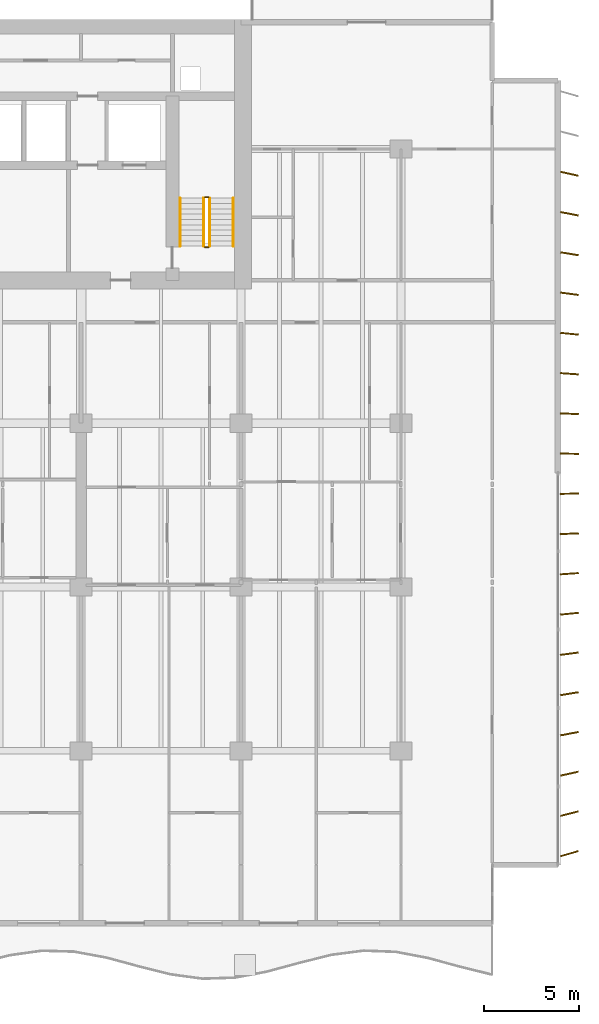
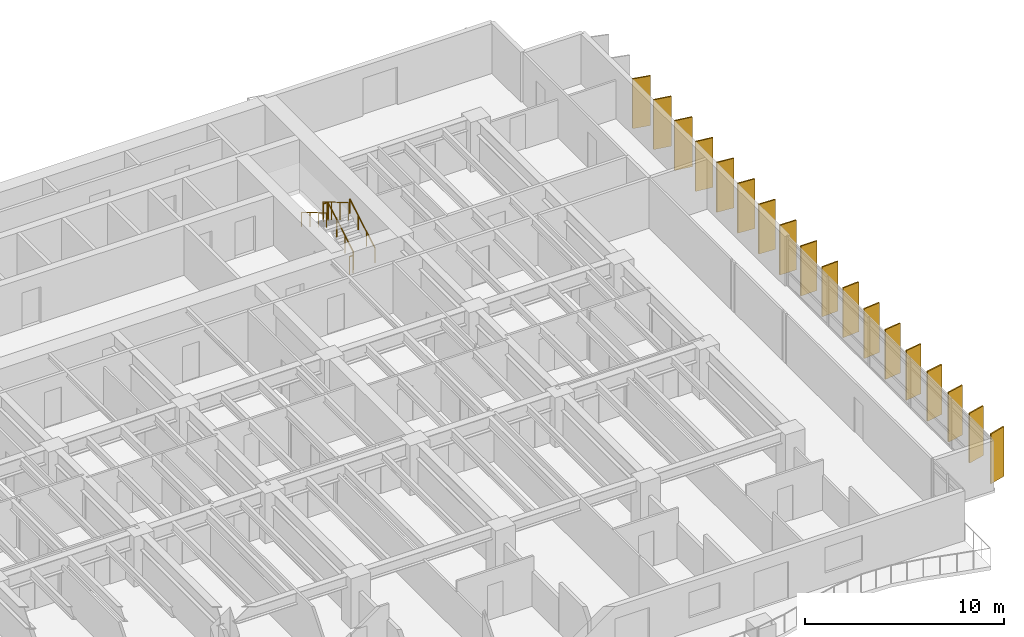
# One storey, part 18 of 19: 18 shading devices, 6 railings.
"""IFC4 building model written with IfcOpenShell, lengths in metres."""

from ifc_helpers import new_model, si_unit, direction, frame, origin, origin_2d, place, context, subcontext, project, spatial, rectangle, circle, extrude, material, material_profile, profile_set, type_object, element, save


model = new_model("IFC4")

# Units and contexts
model_context = context("Model", 3, precision=1e-05, world=origin(), true_north=direction((0.0, 1.0)))
body_context = subcontext(model_context, "Body", "Model", "MODEL_VIEW")
ifc_project = project(units=[si_unit("LENGTHUNIT", "METRE"), si_unit("AREAUNIT", "SQUARE_METRE"), si_unit("VOLUMEUNIT", "CUBIC_METRE"), si_unit("PLANEANGLEUNIT", "RADIAN"), si_unit("MASSUNIT", "GRAM", prefix="KILO")], contexts=[model_context])

# Site, building, storey
site_placement = place(None, origin())
site = spatial("IfcSite", under=ifc_project, at=site_placement, CompositionType="ELEMENT")
building_placement = place(site_placement, origin())
building = spatial("IfcBuilding", under=site, at=building_placement, Name="Caelmar Bay Residences", CompositionType="ELEMENT")
storey_placement = place(building_placement, frame((0.0, 0.0, 66.300048828125)))
storey = spatial("IfcBuildingStorey", under=building, at=storey_placement, Name="L17", CompositionType="ELEMENT", Elevation=66.300048828125)

# Railings
ifc_material_1 = material(Name="Painted galvanized steel stair guard 1100 mm", Category="steel")
railing_type_1 = type_object("IfcRailingType", Name="RL-GRD-1100", PredefinedType="GUARDRAIL", material=ifc_material_1)
railing_1_placement = place(storey_placement, frame((57.85009765625, 38.699951171875, 0.1650390625)))
element("IfcRailing", 1, at=railing_1_placement, inside=storey, type_object=railing_type_1, Name="L17 ST2 stair guard 1", PredefinedType="GUARDRAIL", context=body_context, shape_type="SweptSolid", body=[
    extrude(circle(Radius=0.02392578125, at=origin_2d()), frame((0.0, 0.0, 1.076171875), z_axis=(0.0, 0.861560626758, 0.507654692109), x_axis=(-1.0, 0.0, 0.0)), (0.0, 0.0, 1.0), 2.925048828125),
    extrude(circle(Radius=0.02099609375, at=origin_2d()), origin(), (0.0, 0.0, 1.0), 1.052001953125),
    extrude(circle(Radius=0.02099609375, at=origin_2d()), frame((0.0, 0.840087890625, 0.494873046875)), (0.0, 0.0, 1.0), 1.052001953125),
    extrude(circle(Radius=0.02099609375, at=origin_2d()), frame((0.0, 1.679931640625, 0.989990234375)), (0.0, 0.0, 1.0), 1.052001953125),
    extrude(circle(Radius=0.02099609375, at=origin_2d()), frame((0.0, 2.52001953125, 1.48486328125)), (0.0, 0.0, 1.0), 1.052001953125),
])
railing_2_placement = place(storey_placement, frame((57.800048828125, 41.27001953125, 1.64990234375)))
element("IfcRailing", 2, at=railing_2_placement, inside=storey, type_object=railing_type_1, Name="L17 ST2 stair guard 2", PredefinedType="GUARDRAIL", context=body_context, shape_type="SweptSolid", body=[
    extrude(circle(Radius=0.02392578125, at=origin_2d()), frame((0.0, 0.0, 1.076171875), z_axis=(-1.0, 0.0, 0.0), x_axis=(0.0, -1.0, 0.0)), (0.0, 0.0, 1.0), 0.199951171875),
    extrude(circle(Radius=0.02099609375, at=origin_2d()), origin(), (0.0, 0.0, 1.0), 1.052001953125),
    extrude(circle(Radius=0.02099609375, at=origin_2d()), frame((-0.199951171875, 0.0, 0.0)), (0.0, 0.0, 1.0), 1.052001953125),
])
railing_3_placement = place(storey_placement, frame((57.550048828125, 41.219970703125, 1.81494140625)))
element("IfcRailing", 3, at=railing_3_placement, inside=storey, type_object=railing_type_1, Name="L17 ST2 stair guard 3", PredefinedType="GUARDRAIL", context=body_context, shape_type="SweptSolid", body=[
    extrude(circle(Radius=0.02392578125, at=origin_2d()), frame((0.0, 0.0, 1.076171875), z_axis=(0.0, -0.86152411907, 0.507716645641), x_axis=(1.0, 0.0, 0.0)), (0.0, 0.0, 1.0), 2.925048828125),
    extrude(circle(Radius=0.02099609375, at=origin_2d()), origin(), (0.0, 0.0, 1.0), 1.052001953125),
    extrude(circle(Radius=0.02099609375, at=origin_2d()), frame((0.0, -0.840087890625, 0.4951171875)), (0.0, 0.0, 1.0), 1.052001953125),
    extrude(circle(Radius=0.02099609375, at=origin_2d()), frame((0.0, -1.679931640625, 0.989990234375)), (0.0, 0.0, 1.0), 1.052001953125),
    extrude(circle(Radius=0.02099609375, at=origin_2d()), frame((0.0, -2.52001953125, 1.485107421875)), (0.0, 0.0, 1.0), 1.052001953125),
])
railing_4_placement = place(storey_placement, frame((57.800048828125, 38.64990234375, 0.0)))
element("IfcRailing", 4, at=railing_4_placement, inside=storey, type_object=railing_type_1, Name="L17 ST2 stair guard 4", PredefinedType="GUARDRAIL", context=body_context, shape_type="SweptSolid", body=[
    extrude(circle(Radius=0.02392578125, at=origin_2d()), frame((0.0, 0.0, 1.076171875), z_axis=(-1.0, 0.0, 0.0), x_axis=(0.0, -1.0, 0.0)), (0.0, 0.0, 1.0), 0.199951171875),
    extrude(circle(Radius=0.02099609375, at=origin_2d()), origin(), (0.0, 0.0, 1.0), 1.052001953125),
    extrude(circle(Radius=0.02099609375, at=origin_2d()), frame((-0.199951171875, 0.0, 0.0)), (0.0, 0.0, 1.0), 1.052001953125),
])
ifc_material_2 = material(Name="Brushed bronze stainless-steel tubular handrail 900 mm", Category="steel")
railing_type_2 = type_object("IfcRailingType", Name="RL-HND-900", PredefinedType="HANDRAIL", material=ifc_material_2)
railing_5_placement = place(storey_placement, frame((59.10009765625, 38.699951171875, 0.1650390625)))
element("IfcRailing", 5, at=railing_5_placement, inside=storey, type_object=railing_type_2, Name="L17 ST2 stair handrail 1", PredefinedType="HANDRAIL", context=body_context, shape_type="SweptSolid", body=[
    extrude(circle(Radius=0.02392578125, at=origin_2d()), frame((0.0, 0.0, 0.8759765625), z_axis=(0.0, 0.861560626758, 0.507654692109), x_axis=(-1.0, 0.0, 0.0)), (0.0, 0.0, 1.0), 2.925048828125),
    extrude(circle(Radius=0.02099609375, at=origin_2d()), origin(), (0.0, 0.0, 1.0), 0.851806640625),
    extrude(circle(Radius=0.02099609375, at=origin_2d()), frame((0.0, 0.840087890625, 0.494873046875)), (0.0, 0.0, 1.0), 0.851806640625),
    extrude(circle(Radius=0.02099609375, at=origin_2d()), frame((0.0, 1.679931640625, 0.989990234375)), (0.0, 0.0, 1.0), 0.851806640625),
    extrude(circle(Radius=0.02099609375, at=origin_2d()), frame((0.0, 2.52001953125, 1.48486328125)), (0.0, 0.0, 1.0), 0.851806640625),
])
railing_6_placement = place(storey_placement, frame((56.300048828125, 41.219970703125, 1.81494140625)))
element("IfcRailing", 6, at=railing_6_placement, inside=storey, type_object=railing_type_2, Name="L17 ST2 stair handrail 2", PredefinedType="HANDRAIL", context=body_context, shape_type="SweptSolid", body=[
    extrude(circle(Radius=0.02392578125, at=origin_2d()), frame((0.0, 0.0, 0.8759765625), z_axis=(0.0, -0.86152411907, 0.507716645641), x_axis=(1.0, 0.0, 0.0)), (0.0, 0.0, 1.0), 2.925048828125),
    extrude(circle(Radius=0.02099609375, at=origin_2d()), origin(), (0.0, 0.0, 1.0), 0.851806640625),
    extrude(circle(Radius=0.02099609375, at=origin_2d()), frame((0.0, -0.840087890625, 0.4951171875)), (0.0, 0.0, 1.0), 0.851806640625),
    extrude(circle(Radius=0.02099609375, at=origin_2d()), frame((0.0, -1.679931640625, 0.989990234375)), (0.0, 0.0, 1.0), 0.851806640625),
    extrude(circle(Radius=0.02099609375, at=origin_2d()), frame((0.0, -2.52001953125, 1.485107421875)), (0.0, 0.0, 1.0), 0.851806640625),
])

# Shading devices
ifc_material_3 = material(Name="Anodised architectural bronze aluminium 6063-T6", Category="aluminium")
ifc_material_profile = material_profile(ifc_material_3, rectangle(XDim=0.074951171875, YDim=0.949951171875, at=origin_2d()), Name="BRONZE-FIN-75X950")
ifc_profile_set = profile_set([ifc_material_profile], Name="Anodised architectural bronze aluminium 6063-T6")
shading_device_type = type_object("IfcShadingDeviceType", Name="SHD-FIN-950", PredefinedType="USERDEFINED", material=ifc_profile_set)
for number, where, z_axis, x_axis, name in (
    (7, (76.75, 6.800048828125, 0.0), (0.0, 0.0, 1.0), (-0.275637355817, 0.961261695938, 0.0), "L17 East Bronze Solar Fin 1"),
    (8, (76.75, 8.89990234375, 0.0), (0.0, 0.0, 1.0), (-0.247337247968, 0.968929453452, 0.0), "L17 East Bronze Solar Fin 2"),
    (9, (76.75, 11.0, 0.0), (0.0, 0.0, 1.0), (-0.218654200292, 0.975802408633, 0.0), "L17 East Bronze Solar Fin 3"),
    (10, (76.75, 13.10009765625, 0.0), (0.0, 0.0, 1.0), (-0.189952291512, 0.981793321911, 0.0), "L17 East Bronze Solar Fin 4"),
    (11, (76.75, 15.199951171875, 0.0), (0.0, 0.0, 1.0), (-0.160914826518, 0.986968296657, 0.0), "L17 East Bronze Solar Fin 5"),
    (12, (76.75, 17.300048828125, 0.0), (0.0, 0.0, 1.0), (-0.131910382711, 0.991261646052, 0.0), "L17 East Bronze Solar Fin 6"),
    (13, (76.75, 19.39990234375, 0.0), (0.0, 0.0, 1.0), (-0.10261892683, 0.994720742649, 0.0), "L17 East Bronze Solar Fin 7"),
    (14, (76.75, 21.5, 0.0), (0.0, 0.0, 1.0), (-0.073412260224, 0.997301679558, 0.0), "L17 East Bronze Solar Fin 8"),
    (15, (76.75, 23.60009765625, 0.0), (0.0, 0.0, 1.0), (-0.044142481788, 0.999025245578, 0.0), "L17 East Bronze Solar Fin 9"),
    (16, (76.75, 25.699951171875, 0.0), (0.0, 0.0, 1.0), (-0.01466024053, 0.999892532899, 0.0), "L17 East Bronze Solar Fin 10"),
    (17, (76.75, 27.800048828125, 0.0), (0.0, 0.0, 1.0), (0.01466024053, 0.999892532899, 0.0), "L17 East Bronze Solar Fin 11"),
    (18, (76.75, 29.89990234375, 0.0), (0.0, 0.0, 1.0), (0.044142481788, 0.999025245578, 0.0), "L17 East Bronze Solar Fin 12"),
    (19, (76.75, 32.0, 0.0), (0.0, 0.0, 1.0), (0.073412260224, 0.997301679558, 0.0), "L17 East Bronze Solar Fin 13"),
    (20, (76.75, 34.10009765625, 0.0), (0.0, 0.0, 1.0), (0.10261892683, 0.994720742649, 0.0), "L17 East Bronze Solar Fin 14"),
    (21, (76.75, 36.199951171875, 0.0), (0.0, 0.0, 1.0), (0.131910382711, 0.991261646052, 0.0), "L17 East Bronze Solar Fin 15"),
    (22, (76.75, 38.300048828125, 0.0), (0.0, 0.0, 1.0), (0.160914826518, 0.986968296657, 0.0), "L17 East Bronze Solar Fin 16"),
    (23, (76.75, 40.39990234375, 0.0), (0.0, 0.0, 1.0), (0.189952291512, 0.981793321911, 0.0), "L17 East Bronze Solar Fin 17"),
    (24, (76.75, 42.5, 0.0), (0.0, 0.0, 1.0), (0.218654200292, 0.975802408633, 0.0), "L17 East Bronze Solar Fin 18"),
):
    element("IfcShadingDevice", number, at=place(storey_placement, frame(where, z_axis=z_axis, x_axis=x_axis)), inside=storey, type_object=shading_device_type, Name=name, ObjectType="FIN", PredefinedType="USERDEFINED", context=body_context, shape_type="SweptSolid", body=[
        extrude(rectangle(XDim=0.074951171875, YDim=0.949951171875, at=origin_2d()), origin(), (0.0, 0.0, 1.0), 3.050048828125),
    ])

save(model, "model.ifc")
